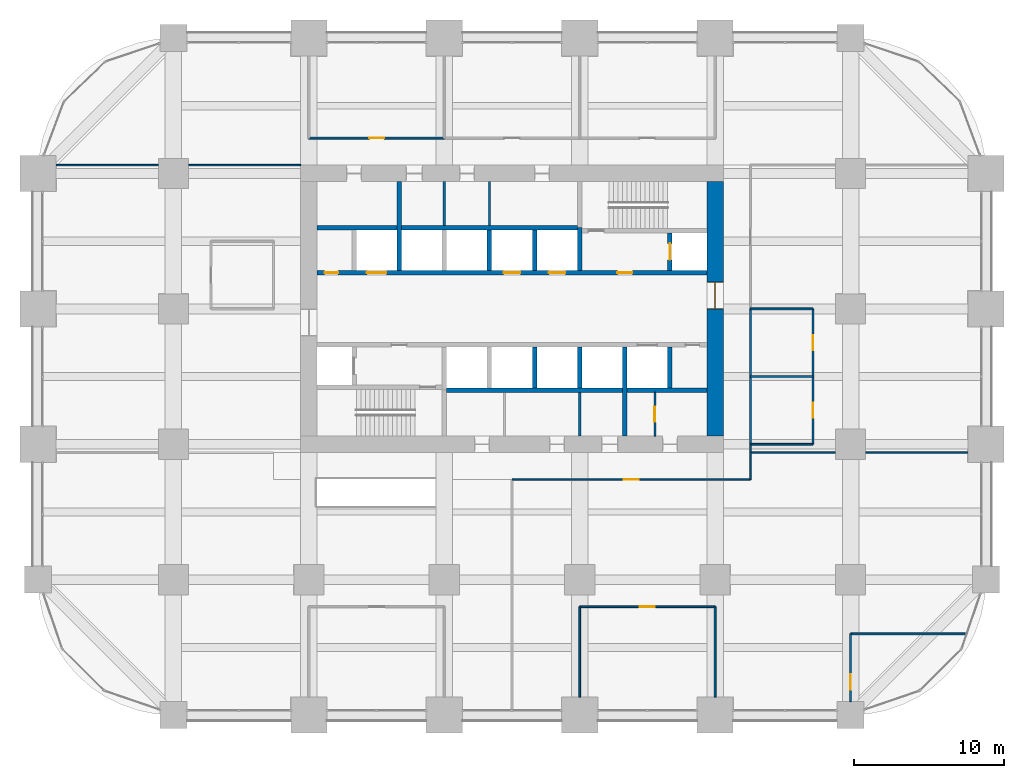
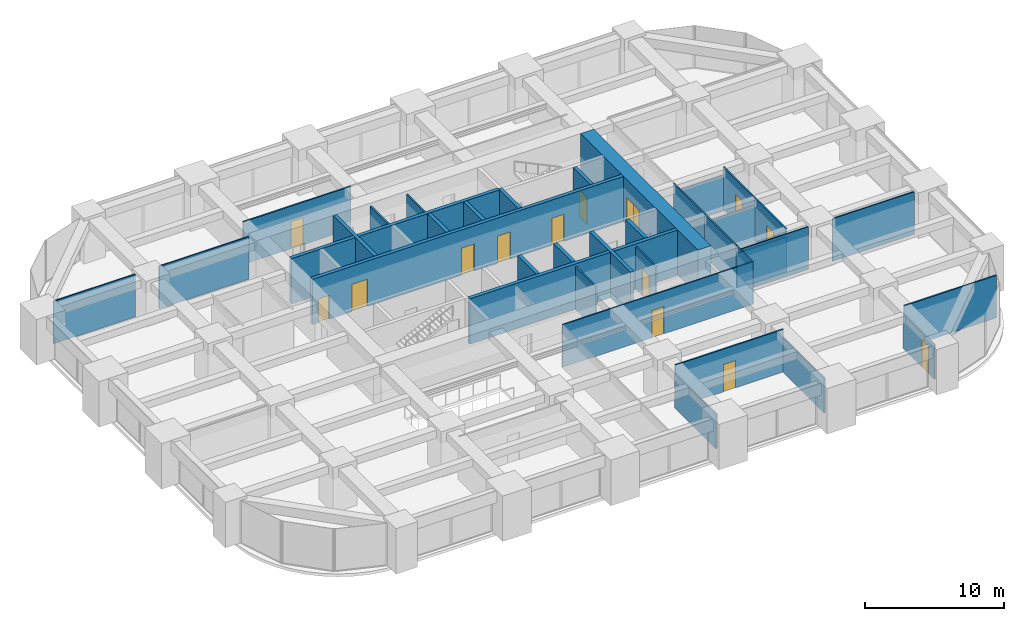
# One storey, part 37 of 39: 36 walls, 14 doors, 14 openings.
"""IFC4 building model written with IfcOpenShell, lengths in metres."""

from ifc_helpers import new_model, si_unit, direction, frame, frame_2d, origin, place, context, subcontext, project, spatial, rectangle, extrude, material, layer, layer_set, type_object, element, fill, save


model = new_model("IFC4")

# Units and contexts
model_context = context("Model", 3, precision=1e-05, world=origin(), true_north=direction((0.0, 1.0)))
body_context = subcontext(model_context, "Body", "Model", "MODEL_VIEW")
ifc_project = project(units=[si_unit("LENGTHUNIT", "METRE"), si_unit("AREAUNIT", "SQUARE_METRE"), si_unit("VOLUMEUNIT", "CUBIC_METRE"), si_unit("PLANEANGLEUNIT", "RADIAN"), si_unit("MASSUNIT", "GRAM", prefix="KILO")], contexts=[model_context])

# Site, building, storey
site_placement = place(None, origin())
site = spatial("IfcSite", under=ifc_project, at=site_placement, CompositionType="ELEMENT")
building_placement = place(site_placement, origin())
building = spatial("IfcBuilding", under=site, at=building_placement, Name="Zorevar Civic Tower", CompositionType="ELEMENT")
storey_placement = place(building_placement, frame((0.0, 0.0, 121.0)))
storey = spatial("IfcBuildingStorey", under=building, at=storey_placement, Name="L29", CompositionType="ELEMENT", Elevation=121.0)

# Wall, opening, door
ifc_material_1 = material(Name="Concrete C50/60", Category="concrete")
ifc_layer_1 = layer(ifc_material_1, 1.10009765625)
ifc_layer_set_1 = layer_set([ifc_layer_1], Name="Core wall 1100")
wall_type_1 = type_object("IfcWallType", Name="Core wall 1100", PredefinedType="SHEAR", material=ifc_layer_set_1)
wall_1_placement = place(storey_placement, frame((45.0, 18.550048828125, 0.0), z_axis=(0.0, 0.0, 1.0), x_axis=(0.0, 1.0, 0.0)))
wall_1 = element("IfcWall", 1, at=wall_1_placement, inside=storey, type_object=wall_type_1, Name="Core wall E L29", PredefinedType="SHEAR", context=body_context, shape_type="SweptSolid", body=[
    extrude(rectangle(XDim=16.89990234375, YDim=1.10009765625, at=frame_2d((8.449951171875, 0.0))), origin(), (0.0, 0.0, 1.0), 4.0),
])
opening_1_placement = place(wall_1_placement, frame((8.449951171875, 0.0, 0.0)))
opening_1 = element("IfcOpeningElement", 2, at=opening_1_placement, cuts=wall_1, Name="Opening L29.02", PredefinedType="OPENING", context=body_context, shape_type="SweptSolid", body=[
    extrude(rectangle(XDim=1.800048828125, YDim=2.39990234375, at=frame_2d((0.89990234375, 1.199951171875))), frame((0.0, 0.56005859375, 0.0), z_axis=(0.0, -1.0, 0.0), x_axis=(1.0, 0.0, 0.0)), (0.0, 0.0, 1.0), 1.1201171875),
])
ifc_material_2 = material(Name="Steel door set", Category="steel")
door_type_1 = type_object("IfcDoorType", Name="Fire door FD2 1800x2400", OperationType="DOUBLE_DOOR_DOUBLE_SWING", PredefinedType="DOOR", material=ifc_material_2)
door_1_placement = place(opening_1_placement, origin())
door_1 = element("IfcDoor", 3, at=door_1_placement, inside=storey, type_object=door_type_1, Name="Door L29 01", OperationType="DOUBLE_DOOR_DOUBLE_SWING", OverallHeight=2.39990234375, OverallWidth=1.800048828125, PredefinedType="DOOR", context=body_context, shape_type="SweptSolid", body=[
    extrude(rectangle(XDim=1.800048828125, YDim=2.39990234375, at=frame_2d((0.89990234375, 1.199951171875))), frame((0.0, 0.030029296875, 0.0), z_axis=(0.0, -1.0, 0.0), x_axis=(1.0, 0.0, 0.0)), (0.0, 0.0, 1.0), 0.06005859375),
    extrude(rectangle(XDim=0.04, YDim=2.39990234375, at=frame_2d((0.02001953125, 1.199951171875))), frame((0.0, 0.5498046875, 0.0), z_axis=(0.0, -1.0, 0.0), x_axis=(1.0, 0.0, 0.0)), (0.0, 0.0, 1.0), 1.099609375),
    extrude(rectangle(XDim=0.04, YDim=2.39990234375, at=frame_2d((1.780029296875, 1.199951171875))), frame((0.0, 0.5498046875, 0.0), z_axis=(0.0, -1.0, 0.0), x_axis=(1.0, 0.0, 0.0)), (0.0, 0.0, 1.0), 1.099609375),
    extrude(rectangle(XDim=1.800048828125, YDim=0.04, at=frame_2d((0.89990234375, 2.3798828125))), frame((0.0, 0.5498046875, 0.0), z_axis=(0.0, -1.0, 0.0), x_axis=(1.0, 0.0, 0.0)), (0.0, 0.0, 1.0), 1.099609375),
])
fill(opening_1, door_1)

ifc_material_3 = material(Name="Laminated glass in black aluminium frame", Category="aluminium")
ifc_layer_2 = layer(ifc_material_3, 0.10009765625)
ifc_layer_set_2 = layer_set([ifc_layer_2], Name="Glazed partition 100")
wall_type_2 = type_object("IfcWallType", Name="Glazed partition 100", PredefinedType="PARTITIONING", material=ifc_layer_set_2)
wall_2_placement = place(storey_placement, frame((31.5, 15.64990234375, 0.0), z_axis=(0.0, 0.0, 1.0), x_axis=(1.0, 0.0, 0.0)))
wall_2 = element("IfcWall", 4, at=wall_2_placement, inside=storey, type_object=wall_type_2, Name="Glazed partition 100 L29", PredefinedType="PARTITIONING", context=body_context, shape_type="SweptSolid", body=[
    extrude(rectangle(XDim=15.85009765625, YDim=0.10009765625, at=frame_2d((7.925048828125, 0.0))), origin(), (0.0, 0.0, 1.0), 3.75),
])
opening_2_placement = place(wall_2_placement, frame((7.425048828125, 0.0, 0.0)))
opening_2 = element("IfcOpeningElement", 5, at=opening_2_placement, cuts=wall_2, Name="Opening L29.19", PredefinedType="OPENING", context=body_context, shape_type="SweptSolid", body=[
    extrude(rectangle(XDim=1.0, YDim=2.39990234375, at=frame_2d((0.5, 1.199951171875))), frame((0.0, 0.06005859375, 0.0), z_axis=(0.0, -1.0, 0.0), x_axis=(1.0, 0.0, 0.0)), (0.0, 0.0, 1.0), 0.1201171875),
])
ifc_material_4 = material(Name="Timber door set", Category="wood")
door_type_2 = type_object("IfcDoorType", Name="Glazed door GD1 1000x2400", OperationType="SINGLE_SWING_LEFT", PredefinedType="DOOR", material=ifc_material_4)
door_2_placement = place(opening_2_placement, origin())
door_2 = element("IfcDoor", 6, at=door_2_placement, inside=storey, type_object=door_type_2, Name="Door L29 D1", OperationType="SINGLE_SWING_LEFT", OverallHeight=2.39990234375, OverallWidth=1.0, PredefinedType="DOOR", context=body_context, shape_type="SweptSolid", body=[
    extrude(rectangle(XDim=1.0, YDim=2.39990234375, at=frame_2d((0.5, 1.199951171875))), frame((0.0, 0.02001953125, 0.0), z_axis=(0.0, -1.0, 0.0), x_axis=(1.0, 0.0, 0.0)), (0.0, 0.0, 1.0), 0.0400390625),
])
fill(opening_2, door_2)

# Walls
wall_3_placement = place(storey_placement, frame((47.35009765625, 17.449951171875, 0.0), z_axis=(0.0, 0.0, 1.0), x_axis=(1.0, 0.0, 0.0)))
element("IfcWall", 7, at=wall_3_placement, inside=storey, type_object=wall_type_2, Name="Glazed partition 100 L29", PredefinedType="PARTITIONING", context=body_context, shape_type="SweptSolid", body=[
    extrude(rectangle(XDim=5.64990234375, YDim=0.10009765625, at=frame_2d((2.824951171875, 0.0))), origin(), (0.0, 0.0, 1.0), 3.75),
])
for number, where, z_axis, x_axis, name in (
    (8, (55.0, 17.449951171875, 0.0), (0.0, 0.0, 1.0), (1.0, 0.0, 0.0), "Glazed partition 100 L29"),
    (9, (1.199951171875, 36.550048828125, 0.0), (0.0, 0.0, 1.0), (1.0, 0.0, 0.0), "Glazed partition 100 L29"),
):
    element("IfcWall", number, at=place(storey_placement, frame(where, z_axis=z_axis, x_axis=x_axis)), inside=storey, type_object=wall_type_2, Name=name, PredefinedType="PARTITIONING", context=body_context, shape_type="SweptSolid", body=[
        extrude(rectangle(XDim=6.800048828125, YDim=0.10009765625, at=frame_2d((3.39990234375, 0.0))), origin(), (0.0, 0.0, 1.0), 3.75),
    ])
wall_4_placement = place(storey_placement, frame((10.0, 36.550048828125, 0.0), z_axis=(0.0, 0.0, 1.0), x_axis=(1.0, 0.0, 0.0)))
element("IfcWall", 10, at=wall_4_placement, inside=storey, type_object=wall_type_2, Name="Glazed partition 100 L29", PredefinedType="PARTITIONING", context=body_context, shape_type="SweptSolid", body=[
    extrude(rectangle(XDim=7.449951171875, YDim=0.10009765625, at=frame_2d((3.72509765625, 0.0))), origin(), (0.0, 0.0, 1.0), 3.75),
])
wall_5_placement = place(storey_placement, frame((47.35009765625, 15.64990234375, 0.0), z_axis=(0.0, 0.0, 1.0), x_axis=(0.0, 1.0, 0.0)))
element("IfcWall", 11, at=wall_5_placement, inside=storey, type_object=wall_type_2, Name="Glazed partition 100 L29", PredefinedType="PARTITIONING", context=body_context, shape_type="SweptSolid", body=[
    extrude(rectangle(XDim=2.35009765625, YDim=0.10009765625, at=frame_2d((1.175048828125, 0.0))), origin(), (0.0, 0.0, 1.0), 3.75),
])

# Wall, opening, door
ifc_material_5 = material(Name="Concrete C40/50", Category="concrete")
ifc_layer_3 = layer(ifc_material_5, 0.300048828125)
ifc_layer_set_3 = layer_set([ifc_layer_3], Name="Inner core wall 300")
wall_type_3 = type_object("IfcWallType", Name="Inner core wall 300", PredefinedType="SHEAR", material=ifc_layer_set_3)
wall_6_placement = place(storey_placement, frame((42.0, 29.550048828125, 0.0), z_axis=(0.0, 0.0, 1.0), x_axis=(0.0, 1.0, 0.0)))
wall_6 = element("IfcWall", 12, at=wall_6_placement, inside=storey, type_object=wall_type_3, Name="Inner core wall N02 L29", PredefinedType="SHEAR", context=body_context, shape_type="SweptSolid", body=[
    extrude(rectangle(XDim=2.5, YDim=0.300048828125, at=frame_2d((1.25, 0.0))), origin(), (0.0, 0.0, 1.0), 4.0),
])
opening_3_placement = place(wall_6_placement, frame((0.699951171875, 0.0, 0.0)))
opening_3 = element("IfcOpeningElement", 13, at=opening_3_placement, cuts=wall_6, Name="Opening L29.FL2", PredefinedType="OPENING", context=body_context, shape_type="SweptSolid", body=[
    extrude(rectangle(XDim=1.10009765625, YDim=2.39990234375, at=frame_2d((0.550048828125, 1.199951171875))), frame((0.0, 0.159912109375, 0.0), z_axis=(0.0, -1.0, 0.0), x_axis=(1.0, 0.0, 0.0)), (0.0, 0.0, 1.0), 0.320068359375),
])
ifc_material_6 = material(Name="Steel door set", Category="steel")
door_type_3 = type_object("IfcDoorType", Name="Firefighting lift landing door LD3 1100x2400", OperationType="DOUBLE_DOOR_SLIDING", PredefinedType="DOOR", material=ifc_material_6)
door_3_placement = place(opening_3_placement, origin())
door_3 = element("IfcDoor", 14, at=door_3_placement, inside=storey, type_object=door_type_3, Name="Landing door FL2 L29", OperationType="DOUBLE_DOOR_SLIDING", OverallHeight=2.39990234375, OverallWidth=1.10009765625, PredefinedType="DOOR", context=body_context, shape_type="SweptSolid", body=[
    extrude(rectangle(XDim=1.10009765625, YDim=2.39990234375, at=frame_2d((0.550048828125, 1.199951171875))), frame((0.0, 0.030029296875, 0.0), z_axis=(0.0, -1.0, 0.0), x_axis=(1.0, 0.0, 0.0)), (0.0, 0.0, 1.0), 0.06005859375),
])
fill(opening_3, door_3)

# Wall, openings, doors
wall_7_placement = place(storey_placement, frame((18.550048828125, 29.39990234375, 0.0), z_axis=(0.0, 0.0, 1.0), x_axis=(1.0, 0.0, 0.0)))
wall_7 = element("IfcWall", 15, at=wall_7_placement, inside=storey, type_object=wall_type_3, Name="Inner core wall N03 L29", PredefinedType="SHEAR", context=body_context, shape_type="SweptSolid", body=[
    extrude(rectangle(XDim=25.89990234375, YDim=0.300048828125, at=frame_2d((12.949951171875, 0.0))), origin(), (0.0, 0.0, 1.0), 4.0),
])
opening_4_placement = place(wall_7_placement, frame((19.949951171875, 0.0, 0.0)))
opening_4 = element("IfcOpeningElement", 16, at=opening_4_placement, cuts=wall_7, Name="Opening L29.14", PredefinedType="OPENING", context=body_context, shape_type="SweptSolid", body=[
    extrude(rectangle(XDim=1.0, YDim=2.39990234375, at=frame_2d((0.5, 1.199951171875))), frame((0.0, 0.159912109375, 0.0), z_axis=(0.0, -1.0, 0.0), x_axis=(1.0, 0.0, 0.0)), (0.0, 0.0, 1.0), 0.320068359375),
])
opening_5_placement = place(wall_7_placement, frame((0.5, 0.0, 0.0)))
opening_5 = element("IfcOpeningElement", 17, at=opening_5_placement, cuts=wall_7, Name="Opening L29.16", PredefinedType="OPENING", context=body_context, shape_type="SweptSolid", body=[
    extrude(rectangle(XDim=0.89990234375, YDim=2.10009765625, at=frame_2d((0.449951171875, 1.050048828125))), frame((0.0, 0.159912109375, 0.0), z_axis=(0.0, -1.0, 0.0), x_axis=(1.0, 0.0, 0.0)), (0.0, 0.0, 1.0), 0.320068359375),
])
opening_6_placement = place(wall_7_placement, frame((15.39990234375, 0.0, 0.0)))
opening_6 = element("IfcOpeningElement", 18, at=opening_6_placement, cuts=wall_7, Name="Opening L29.LM1", PredefinedType="OPENING", context=body_context, shape_type="SweptSolid", body=[
    extrude(rectangle(XDim=1.10009765625, YDim=2.39990234375, at=frame_2d((0.550048828125, 1.199951171875))), frame((0.0, 0.159912109375, 0.0), z_axis=(0.0, -1.0, 0.0), x_axis=(1.0, 0.0, 0.0)), (0.0, 0.0, 1.0), 0.320068359375),
])
opening_7_placement = place(wall_7_placement, frame((12.39990234375, 0.0, 0.0)))
opening_7 = element("IfcOpeningElement", 19, at=opening_7_placement, cuts=wall_7, Name="Opening L29.LM2", PredefinedType="OPENING", context=body_context, shape_type="SweptSolid", body=[
    extrude(rectangle(XDim=1.10009765625, YDim=2.39990234375, at=frame_2d((0.550048828125, 1.199951171875))), frame((0.0, 0.159912109375, 0.0), z_axis=(0.0, -1.0, 0.0), x_axis=(1.0, 0.0, 0.0)), (0.0, 0.0, 1.0), 0.320068359375),
])
opening_8_placement = place(wall_7_placement, frame((3.300048828125, 0.0, 0.0)))
opening_8 = element("IfcOpeningElement", 20, at=opening_8_placement, cuts=wall_7, Name="Opening L29.SL2", PredefinedType="OPENING", context=body_context, shape_type="SweptSolid", body=[
    extrude(rectangle(XDim=1.300048828125, YDim=2.39990234375, at=frame_2d((0.64990234375, 1.199951171875))), frame((0.0, 0.159912109375, 0.0), z_axis=(0.0, -1.0, 0.0), x_axis=(1.0, 0.0, 0.0)), (0.0, 0.0, 1.0), 0.320068359375),
])
ifc_material_7 = material(Name="Steel door set", Category="steel")
door_type_4 = type_object("IfcDoorType", Name="Fire door FD1 1000x2400", OperationType="SINGLE_SWING_LEFT", PredefinedType="DOOR", material=ifc_material_7)
door_4_placement = place(opening_4_placement, origin())
door_4 = element("IfcDoor", 21, at=door_4_placement, inside=storey, type_object=door_type_4, Name="Door L29 13", OperationType="SINGLE_SWING_RIGHT", OverallHeight=2.39990234375, OverallWidth=1.0, PredefinedType="DOOR", context=body_context, shape_type="SweptSolid", body=[
    extrude(rectangle(XDim=1.0, YDim=2.39990234375, at=frame_2d((0.5, 1.199951171875))), frame((0.0, 0.030029296875, 0.0), z_axis=(0.0, -1.0, 0.0), x_axis=(1.0, 0.0, 0.0)), (0.0, 0.0, 1.0), 0.06005859375),
])
fill(opening_4, door_4)
ifc_material_8 = material(Name="Steel door set", Category="steel")
door_type_5 = type_object("IfcDoorType", Name="Landing door LD1 1100x2400", OperationType="DOUBLE_DOOR_SLIDING", PredefinedType="DOOR", material=ifc_material_8)
door_5_placement = place(opening_6_placement, origin())
door_5 = element("IfcDoor", 22, at=door_5_placement, inside=storey, type_object=door_type_5, Name="Landing door LM1 L29", OperationType="DOUBLE_DOOR_SLIDING", OverallHeight=2.39990234375, OverallWidth=1.10009765625, PredefinedType="DOOR", context=body_context, shape_type="SweptSolid", body=[
    extrude(rectangle(XDim=1.10009765625, YDim=2.39990234375, at=frame_2d((0.550048828125, 1.199951171875))), frame((0.0, 0.02001953125, 0.0), z_axis=(0.0, -1.0, 0.0), x_axis=(1.0, 0.0, 0.0)), (0.0, 0.0, 1.0), 0.0400390625),
])
fill(opening_6, door_5)
door_6_placement = place(opening_7_placement, origin())
door_6 = element("IfcDoor", 23, at=door_6_placement, inside=storey, type_object=door_type_5, Name="Landing door LM2 L29", OperationType="DOUBLE_DOOR_SLIDING", OverallHeight=2.39990234375, OverallWidth=1.10009765625, PredefinedType="DOOR", context=body_context, shape_type="SweptSolid", body=[
    extrude(rectangle(XDim=1.10009765625, YDim=2.39990234375, at=frame_2d((0.550048828125, 1.199951171875))), frame((0.0, 0.02001953125, 0.0), z_axis=(0.0, -1.0, 0.0), x_axis=(1.0, 0.0, 0.0)), (0.0, 0.0, 1.0), 0.0400390625),
])
fill(opening_7, door_6)
ifc_material_9 = material(Name="Steel door set", Category="steel")
door_type_6 = type_object("IfcDoorType", Name="Landing door LD2 1300x2400", OperationType="DOUBLE_DOOR_SLIDING", PredefinedType="DOOR", material=ifc_material_9)
door_7_placement = place(opening_8_placement, origin())
door_7 = element("IfcDoor", 24, at=door_7_placement, inside=storey, type_object=door_type_6, Name="Landing door SL2 L29", OperationType="DOUBLE_DOOR_SLIDING", OverallHeight=2.39990234375, OverallWidth=1.300048828125, PredefinedType="DOOR", context=body_context, shape_type="SweptSolid", body=[
    extrude(rectangle(XDim=1.300048828125, YDim=2.39990234375, at=frame_2d((0.64990234375, 1.199951171875))), frame((0.0, 0.02001953125, 0.0), z_axis=(0.0, -1.0, 0.0), x_axis=(1.0, 0.0, 0.0)), (0.0, 0.0, 1.0), 0.0400390625),
])
fill(opening_8, door_7)
ifc_material_10 = material(Name="Steel door set", Category="steel")
door_type_7 = type_object("IfcDoorType", Name="Riser door RD1 900x2100", OperationType="SINGLE_SWING_LEFT", PredefinedType="DOOR", material=ifc_material_10)
door_8_placement = place(opening_5_placement, origin())
door_8 = element("IfcDoor", 25, at=door_8_placement, inside=storey, type_object=door_type_7, Name="Door L29 15", OperationType="SINGLE_SWING_RIGHT", OverallHeight=2.10009765625, OverallWidth=0.89990234375, PredefinedType="DOOR", context=body_context, shape_type="SweptSolid", body=[
    extrude(rectangle(XDim=0.89990234375, YDim=2.10009765625, at=frame_2d((0.449951171875, 1.050048828125))), frame((0.0, 0.030029296875, 0.0), z_axis=(0.0, -1.0, 0.0), x_axis=(1.0, 0.0, 0.0)), (0.0, 0.0, 1.0), 0.06005859375),
])
fill(opening_5, door_8)

# Walls
for number, where, z_axis, x_axis, name in (
    (26, (27.14990234375, 21.60009765625, 0.0), (0.0, 0.0, 1.0), (1.0, 0.0, 0.0), "Inner core wall S04 L29"),
    (27, (18.550048828125, 32.39990234375, 0.0), (0.0, 0.0, 1.0), (1.0, 0.0, 0.0), "Inner core wall N04 L29"),
):
    element("IfcWall", number, at=place(storey_placement, frame(where, z_axis=z_axis, x_axis=x_axis)), inside=storey, type_object=wall_type_3, Name=name, PredefinedType="SHEAR", context=body_context, shape_type="SweptSolid", body=[
        extrude(rectangle(XDim=17.300048828125, YDim=0.300048828125, at=frame_2d((8.64990234375, 0.0))), origin(), (0.0, 0.0, 1.0), 4.0),
    ])
for number, where, z_axis, x_axis, name in (
    (28, (33.0, 29.550048828125, 0.0), (0.0, 0.0, 1.0), (0.0, 1.0, 0.0), "Inner core wall N05 L29"),
    (29, (33.0, 21.75, 0.0), (0.0, 0.0, 1.0), (0.0, 1.0, 0.0), "Inner core wall S06 L29"),
    (30, (30.0, 29.550048828125, 0.0), (0.0, 0.0, 1.0), (0.0, 1.0, 0.0), "Inner core wall N06 L29"),
    (31, (36.0, 21.75, 0.0), (0.0, 0.0, 1.0), (0.0, 1.0, 0.0), "Inner core wall S07 L29"),
):
    element("IfcWall", number, at=place(storey_placement, frame(where, z_axis=z_axis, x_axis=x_axis)), inside=storey, type_object=wall_type_3, Name=name, PredefinedType="SHEAR", context=body_context, shape_type="SweptSolid", body=[
        extrude(rectangle(XDim=2.699951171875, YDim=0.300048828125, at=frame_2d((1.35009765625, 0.0))), origin(), (0.0, 0.0, 1.0), 4.0),
    ])
for number, where, z_axis, x_axis, name in (
    (32, (39.0, 18.550048828125, 0.0), (0.0, 0.0, 1.0), (0.0, 1.0, 0.0), "Inner core wall S08 L29"),
    (33, (24.0, 29.550048828125, 0.0), (0.0, 0.0, 1.0), (0.0, 1.0, 0.0), "Inner core wall N08 L29"),
):
    element("IfcWall", number, at=place(storey_placement, frame(where, z_axis=z_axis, x_axis=x_axis)), inside=storey, type_object=wall_type_3, Name=name, PredefinedType="SHEAR", context=body_context, shape_type="SweptSolid", body=[
        extrude(rectangle(XDim=5.89990234375, YDim=0.300048828125, at=frame_2d((2.949951171875, 0.0))), origin(), (0.0, 0.0, 1.0), 4.0),
    ])
wall_8_placement = place(storey_placement, frame((42.0, 21.75, 0.0), z_axis=(0.0, 0.0, 1.0), x_axis=(0.0, 1.0, 0.0)))
element("IfcWall", 34, at=wall_8_placement, inside=storey, type_object=wall_type_3, Name="Inner core wall S09 L29", PredefinedType="SHEAR", context=body_context, shape_type="SweptSolid", body=[
    extrude(rectangle(XDim=2.699951171875, YDim=0.300048828125, at=frame_2d((1.35009765625, 0.0))), origin(), (0.0, 0.0, 1.0), 4.0),
])
wall_9_placement = place(storey_placement, frame((36.0, 29.550048828125, 0.0), z_axis=(0.0, 0.0, 1.0), x_axis=(0.0, 1.0, 0.0)))
element("IfcWall", 35, at=wall_9_placement, inside=storey, type_object=wall_type_3, Name="Inner core wall N10 L29", PredefinedType="SHEAR", context=body_context, shape_type="SweptSolid", body=[
    extrude(rectangle(XDim=2.849853515625, YDim=0.300048828125, at=frame_2d((1.4248046875, 0.0))), origin(), (0.0, 0.0, 1.0), 4.0),
])
ifc_material_11 = material(Name="Gypsum board on steel studs", Category="steel")
ifc_layer_4 = layer(ifc_material_11, 0.1201171875)
ifc_layer_set_4 = layer_set([ifc_layer_4], Name="Partition 120")
wall_type_4 = type_object("IfcWallType", Name="Partition 120", PredefinedType="PARTITIONING", material=ifc_layer_set_4)
wall_10_placement = place(storey_placement, frame((54.0, 5.39990234375, 0.0), z_axis=(0.0, 0.0, 1.0), x_axis=(1.0, 0.0, 0.0)))
element("IfcWall", 36, at=wall_10_placement, inside=storey, type_object=wall_type_4, Name="Partition 120 L29", PredefinedType="PARTITIONING", context=body_context, shape_type="SweptSolid", body=[
    extrude(rectangle(XDim=7.688232421875, YDim=0.1201171875, at=frame_2d((3.84423828125, 0.0))), origin(), (0.0, 0.0, 1.0), 3.75),
])

# Wall, opening, door
wall_11_placement = place(storey_placement, frame((36.0, 7.199951171875, 0.0), z_axis=(0.0, 0.0, 1.0), x_axis=(1.0, 0.0, 0.0)))
wall_11 = element("IfcWall", 37, at=wall_11_placement, inside=storey, type_object=wall_type_4, Name="Partition 120 L29", PredefinedType="PARTITIONING", context=body_context, shape_type="SweptSolid", body=[
    extrude(rectangle(XDim=9.0, YDim=0.1201171875, at=frame_2d((4.5, 0.0))), origin(), (0.0, 0.0, 1.0), 3.75),
])
opening_9_placement = place(wall_11_placement, frame((4.0, 0.0, 0.0)))
opening_9 = element("IfcOpeningElement", 38, at=opening_9_placement, cuts=wall_11, Name="Opening L29.18", PredefinedType="OPENING", context=body_context, shape_type="SweptSolid", body=[
    extrude(rectangle(XDim=1.0, YDim=2.39990234375, at=frame_2d((0.5, 1.199951171875))), frame((0.0, 0.070068359375, 0.0), z_axis=(0.0, -1.0, 0.0), x_axis=(1.0, 0.0, 0.0)), (0.0, 0.0, 1.0), 0.14013671875),
])
ifc_material_12 = material(Name="Timber door set", Category="wood")
door_type_8 = type_object("IfcDoorType", Name="Door D1 1000x2400", OperationType="SINGLE_SWING_LEFT", PredefinedType="DOOR", material=ifc_material_12)
door_9_placement = place(opening_9_placement, origin())
door_9 = element("IfcDoor", 39, at=door_9_placement, inside=storey, type_object=door_type_8, Name="Door L29 D1", OperationType="SINGLE_SWING_RIGHT", OverallHeight=2.39990234375, OverallWidth=1.0, PredefinedType="DOOR", context=body_context, shape_type="SweptSolid", body=[
    extrude(rectangle(XDim=1.0, YDim=2.39990234375, at=frame_2d((0.5, 1.199951171875))), frame((0.0, 0.02490234375, 0.0), z_axis=(0.0, -1.0, 0.0), x_axis=(1.0, 0.0, 0.0)), (0.0, 0.0, 1.0), 0.050048828125),
])
fill(opening_9, door_9)

# Walls
wall_12_placement = place(storey_placement, frame((47.35009765625, 18.0, 0.0), z_axis=(0.0, 0.0, 1.0), x_axis=(1.0, 0.0, 0.0)))
element("IfcWall", 40, at=wall_12_placement, inside=storey, type_object=wall_type_4, Name="Partition 120 L29", PredefinedType="PARTITIONING", context=body_context, shape_type="SweptSolid", body=[
    extrude(rectangle(XDim=4.14990234375, YDim=0.1201171875, at=frame_2d((2.074951171875, 0.0))), origin(), (0.0, 0.0, 1.0), 3.050048828125),
])
wall_13_placement = place(storey_placement, frame((47.35009765625, 22.5, 0.0), z_axis=(0.0, 0.0, 1.0), x_axis=(1.0, 0.0, 0.0)))
element("IfcWall", 41, at=wall_13_placement, inside=storey, type_object=wall_type_4, Name="Partition 120 L29", PredefinedType="PARTITIONING", context=body_context, shape_type="SweptSolid", body=[
    extrude(rectangle(XDim=4.14990234375, YDim=0.1201171875, at=frame_2d((2.074951171875, 0.0))), origin(), (0.0, 0.0, 1.0), 3.10009765625),
])
wall_14_placement = place(storey_placement, frame((47.35009765625, 27.0, 0.0), z_axis=(0.0, 0.0, 1.0), x_axis=(1.0, 0.0, 0.0)))
element("IfcWall", 42, at=wall_14_placement, inside=storey, type_object=wall_type_4, Name="Partition 120 L29", PredefinedType="PARTITIONING", context=body_context, shape_type="SweptSolid", body=[
    extrude(rectangle(XDim=4.14990234375, YDim=0.1201171875, at=frame_2d((2.074951171875, 0.0))), origin(), (0.0, 0.0, 1.0), 3.050048828125),
])

# Wall, opening, door
wall_15_placement = place(storey_placement, frame((18.0, 38.35009765625, 0.0), z_axis=(0.0, 0.0, 1.0), x_axis=(1.0, 0.0, 0.0)))
wall_15 = element("IfcWall", 43, at=wall_15_placement, inside=storey, type_object=wall_type_4, Name="Partition 120 L29", PredefinedType="PARTITIONING", context=body_context, shape_type="SweptSolid", body=[
    extrude(rectangle(XDim=9.0, YDim=0.1201171875, at=frame_2d((4.5, 0.0))), origin(), (0.0, 0.0, 1.0), 3.75),
])
opening_10_placement = place(wall_15_placement, frame((4.0, 0.0, 0.0)))
opening_10 = element("IfcOpeningElement", 44, at=opening_10_placement, cuts=wall_15, Name="Opening L29.20", PredefinedType="OPENING", context=body_context, shape_type="SweptSolid", body=[
    extrude(rectangle(XDim=1.0, YDim=2.39990234375, at=frame_2d((0.5, 1.199951171875))), frame((0.0, 0.070068359375, 0.0), z_axis=(0.0, -1.0, 0.0), x_axis=(1.0, 0.0, 0.0)), (0.0, 0.0, 1.0), 0.14013671875),
])
door_10_placement = place(opening_10_placement, origin())
door_10 = element("IfcDoor", 45, at=door_10_placement, inside=storey, type_object=door_type_8, Name="Door L29 D1", OperationType="SINGLE_SWING_LEFT", OverallHeight=2.39990234375, OverallWidth=1.0, PredefinedType="DOOR", context=body_context, shape_type="SweptSolid", body=[
    extrude(rectangle(XDim=1.0, YDim=2.39990234375, at=frame_2d((0.5, 1.199951171875))), frame((0.0, 0.02490234375, 0.0), z_axis=(0.0, -1.0, 0.0), x_axis=(1.0, 0.0, 0.0)), (0.0, 0.0, 1.0), 0.050048828125),
])
fill(opening_10, door_10)

# Walls
for number, where, z_axis, x_axis, name in (
    (46, (36.0, 1.199951171875, 0.0), (0.0, 0.0, 1.0), (0.0, 1.0, 0.0), "Partition 120 L29"),
    (47, (45.0, 1.199951171875, 0.0), (0.0, 0.0, 1.0), (0.0, 1.0, 0.0), "Partition 120 L29"),
):
    element("IfcWall", number, at=place(storey_placement, frame(where, z_axis=z_axis, x_axis=x_axis)), inside=storey, type_object=wall_type_4, Name=name, PredefinedType="PARTITIONING", context=body_context, shape_type="SweptSolid", body=[
        extrude(rectangle(XDim=6.0, YDim=0.1201171875, at=frame_2d((3.0, 0.0))), origin(), (0.0, 0.0, 1.0), 3.050048828125),
    ])
for number, where, z_axis, x_axis, name in (
    (48, (47.35009765625, 18.0, 0.0), (0.0, 0.0, 1.0), (0.0, 1.0, 0.0), "Partition 120 L29"),
    (49, (47.35009765625, 22.5, 0.0), (0.0, 0.0, 1.0), (0.0, 1.0, 0.0), "Partition 120 L29"),
):
    element("IfcWall", number, at=place(storey_placement, frame(where, z_axis=z_axis, x_axis=x_axis)), inside=storey, type_object=wall_type_4, Name=name, PredefinedType="PARTITIONING", context=body_context, shape_type="SweptSolid", body=[
        extrude(rectangle(XDim=4.5, YDim=0.1201171875, at=frame_2d((2.25, 0.0))), origin(), (0.0, 0.0, 1.0), 3.75),
    ])

# Wall, opening, door
wall_16_placement = place(storey_placement, frame((51.5, 18.0, 0.0), z_axis=(0.0, 0.0, 1.0), x_axis=(0.0, 1.0, 0.0)))
wall_16 = element("IfcWall", 50, at=wall_16_placement, inside=storey, type_object=wall_type_4, Name="Partition 120 L29", PredefinedType="PARTITIONING", context=body_context, shape_type="SweptSolid", body=[
    extrude(rectangle(XDim=4.5, YDim=0.1201171875, at=frame_2d((2.25, 0.0))), origin(), (0.0, 0.0, 1.0), 3.75),
])
opening_11_placement = place(wall_16_placement, frame((1.75, 0.0, 0.0)))
opening_11 = element("IfcOpeningElement", 51, at=opening_11_placement, cuts=wall_16, Name="Opening L29.25", PredefinedType="OPENING", context=body_context, shape_type="SweptSolid", body=[
    extrude(rectangle(XDim=1.0, YDim=2.39990234375, at=frame_2d((0.5, 1.199951171875))), frame((0.0, 0.070068359375, 0.0), z_axis=(0.0, -1.0, 0.0), x_axis=(1.0, 0.0, 0.0)), (0.0, 0.0, 1.0), 0.14013671875),
])
door_11_placement = place(opening_11_placement, origin())
door_11 = element("IfcDoor", 52, at=door_11_placement, inside=storey, type_object=door_type_8, Name="Door L29 D1", OperationType="SINGLE_SWING_LEFT", OverallHeight=2.39990234375, OverallWidth=1.0, PredefinedType="DOOR", context=body_context, shape_type="SweptSolid", body=[
    extrude(rectangle(XDim=1.0, YDim=2.39990234375, at=frame_2d((0.5, 1.199951171875))), frame((0.0, 0.02490234375, 0.0), z_axis=(0.0, -1.0, 0.0), x_axis=(1.0, 0.0, 0.0)), (0.0, 0.0, 1.0), 0.050048828125),
])
fill(opening_11, door_11)

wall_17_placement = place(storey_placement, frame((51.5, 22.5, 0.0), z_axis=(0.0, 0.0, 1.0), x_axis=(0.0, 1.0, 0.0)))
wall_17 = element("IfcWall", 53, at=wall_17_placement, inside=storey, type_object=wall_type_4, Name="Partition 120 L29", PredefinedType="PARTITIONING", context=body_context, shape_type="SweptSolid", body=[
    extrude(rectangle(XDim=4.5, YDim=0.1201171875, at=frame_2d((2.25, 0.0))), origin(), (0.0, 0.0, 1.0), 3.75),
])
opening_12_placement = place(wall_17_placement, frame((1.75, 0.0, 0.0)))
opening_12 = element("IfcOpeningElement", 54, at=opening_12_placement, cuts=wall_17, Name="Opening L29.26", PredefinedType="OPENING", context=body_context, shape_type="SweptSolid", body=[
    extrude(rectangle(XDim=1.0, YDim=2.39990234375, at=frame_2d((0.5, 1.199951171875))), frame((0.0, 0.070068359375, 0.0), z_axis=(0.0, -1.0, 0.0), x_axis=(1.0, 0.0, 0.0)), (0.0, 0.0, 1.0), 0.14013671875),
])
door_12_placement = place(opening_12_placement, origin())
door_12 = element("IfcDoor", 55, at=door_12_placement, inside=storey, type_object=door_type_8, Name="Door L29 D1", OperationType="SINGLE_SWING_LEFT", OverallHeight=2.39990234375, OverallWidth=1.0, PredefinedType="DOOR", context=body_context, shape_type="SweptSolid", body=[
    extrude(rectangle(XDim=1.0, YDim=2.39990234375, at=frame_2d((0.5, 1.199951171875))), frame((0.0, 0.02490234375, 0.0), z_axis=(0.0, -1.0, 0.0), x_axis=(1.0, 0.0, 0.0)), (0.0, 0.0, 1.0), 0.050048828125),
])
fill(opening_12, door_12)

wall_18_placement = place(storey_placement, frame((54.0, 0.89990234375, 0.0), z_axis=(0.0, 0.0, 1.0), x_axis=(0.0, 1.0, 0.0)))
wall_18 = element("IfcWall", 56, at=wall_18_placement, inside=storey, type_object=wall_type_4, Name="Partition 120 L29", PredefinedType="PARTITIONING", context=body_context, shape_type="SweptSolid", body=[
    extrude(rectangle(XDim=4.5, YDim=0.1201171875, at=frame_2d((2.25, 0.0))), origin(), (0.0, 0.0, 1.0), 3.050048828125),
])
opening_13_placement = place(wall_18_placement, frame((0.800048828125, 0.0, 0.0)))
opening_13 = element("IfcOpeningElement", 57, at=opening_13_placement, cuts=wall_18, Name="Opening L29.27", PredefinedType="OPENING", context=body_context, shape_type="SweptSolid", body=[
    extrude(rectangle(XDim=1.0, YDim=2.39990234375, at=frame_2d((0.5, 1.199951171875))), frame((0.0, 0.070068359375, 0.0), z_axis=(0.0, -1.0, 0.0), x_axis=(1.0, 0.0, 0.0)), (0.0, 0.0, 1.0), 0.14013671875),
])
door_13_placement = place(opening_13_placement, origin())
door_13 = element("IfcDoor", 58, at=door_13_placement, inside=storey, type_object=door_type_8, Name="Door L29 D1", OperationType="SINGLE_SWING_RIGHT", OverallHeight=2.39990234375, OverallWidth=1.0, PredefinedType="DOOR", context=body_context, shape_type="SweptSolid", body=[
    extrude(rectangle(XDim=1.0, YDim=2.39990234375, at=frame_2d((0.5, 1.199951171875))), frame((0.0, 0.02490234375, 0.0), z_axis=(0.0, -1.0, 0.0), x_axis=(1.0, 0.0, 0.0)), (0.0, 0.0, 1.0), 0.050048828125),
])
fill(opening_13, door_13)

# Wall
wall_19_placement = place(storey_placement, frame((30.0, 32.550048828125, 0.0), z_axis=(0.0, 0.0, 1.0), x_axis=(0.0, 1.0, 0.0)))
element("IfcWall", 59, at=wall_19_placement, inside=storey, type_object=wall_type_4, Name="Partition L29", PredefinedType="PARTITIONING", context=body_context, shape_type="SweptSolid", body=[
    extrude(rectangle(XDim=2.89990234375, YDim=0.1201171875, at=frame_2d((1.449951171875, 0.0))), origin(), (0.0, 0.0, 1.0), 3.75),
])

# Wall, opening, door
wall_20_placement = place(storey_placement, frame((41.0, 18.550048828125, 0.0), z_axis=(0.0, 0.0, 1.0), x_axis=(0.0, 1.0, 0.0)))
wall_20 = element("IfcWall", 60, at=wall_20_placement, inside=storey, type_object=wall_type_4, Name="Partition L29", PredefinedType="PARTITIONING", context=body_context, shape_type="SweptSolid", body=[
    extrude(rectangle(XDim=2.89990234375, YDim=0.1201171875, at=frame_2d((1.449951171875, 0.0))), origin(), (0.0, 0.0, 1.0), 3.75),
])
opening_14_placement = place(wall_20_placement, frame((0.949951171875, 0.0, 0.0)))
opening_14 = element("IfcOpeningElement", 61, at=opening_14_placement, cuts=wall_20, Name="Opening L29.28", PredefinedType="OPENING", context=body_context, shape_type="SweptSolid", body=[
    extrude(rectangle(XDim=1.0, YDim=2.39990234375, at=frame_2d((0.5, 1.199951171875))), frame((0.0, 0.070068359375, 0.0), z_axis=(0.0, -1.0, 0.0), x_axis=(1.0, 0.0, 0.0)), (0.0, 0.0, 1.0), 0.14013671875),
])
door_14_placement = place(opening_14_placement, origin())
door_14 = element("IfcDoor", 62, at=door_14_placement, inside=storey, type_object=door_type_4, Name="Door L29 ES", OperationType="SINGLE_SWING_LEFT", OverallHeight=2.39990234375, OverallWidth=1.0, PredefinedType="DOOR", context=body_context, shape_type="SweptSolid", body=[
    extrude(rectangle(XDim=1.0, YDim=2.39990234375, at=frame_2d((0.5, 1.199951171875))), frame((0.0, 0.030029296875, 0.0), z_axis=(0.0, -1.0, 0.0), x_axis=(1.0, 0.0, 0.0)), (0.0, 0.0, 1.0), 0.06005859375),
])
fill(opening_14, door_14)

# Walls
ifc_material_13 = material(Name="Gypsum board on steel studs, moisture resistant", Category="steel")
ifc_layer_5 = layer(ifc_material_13, 0.14990234375)
ifc_layer_set_5 = layer_set([ifc_layer_5], Name="WC partition 150")
wall_type_5 = type_object("IfcWallType", Name="WC partition 150", PredefinedType="PARTITIONING", material=ifc_layer_set_5)
for number, where, z_axis, x_axis, name in (
    (63, (36.0, 18.550048828125, 0.0), (0.0, 0.0, 1.0), (0.0, 1.0, 0.0), "WC partition L29"),
    (64, (27.0, 32.550048828125, 0.0), (0.0, 0.0, 1.0), (0.0, 1.0, 0.0), "WC partition L29"),
):
    element("IfcWall", number, at=place(storey_placement, frame(where, z_axis=z_axis, x_axis=x_axis)), inside=storey, type_object=wall_type_5, Name=name, PredefinedType="PARTITIONING", context=body_context, shape_type="SweptSolid", body=[
        extrude(rectangle(XDim=2.89990234375, YDim=0.14990234375, at=frame_2d((1.449951171875, 0.0))), origin(), (0.0, 0.0, 1.0), 3.75),
    ])

save(model, "model.ifc")
